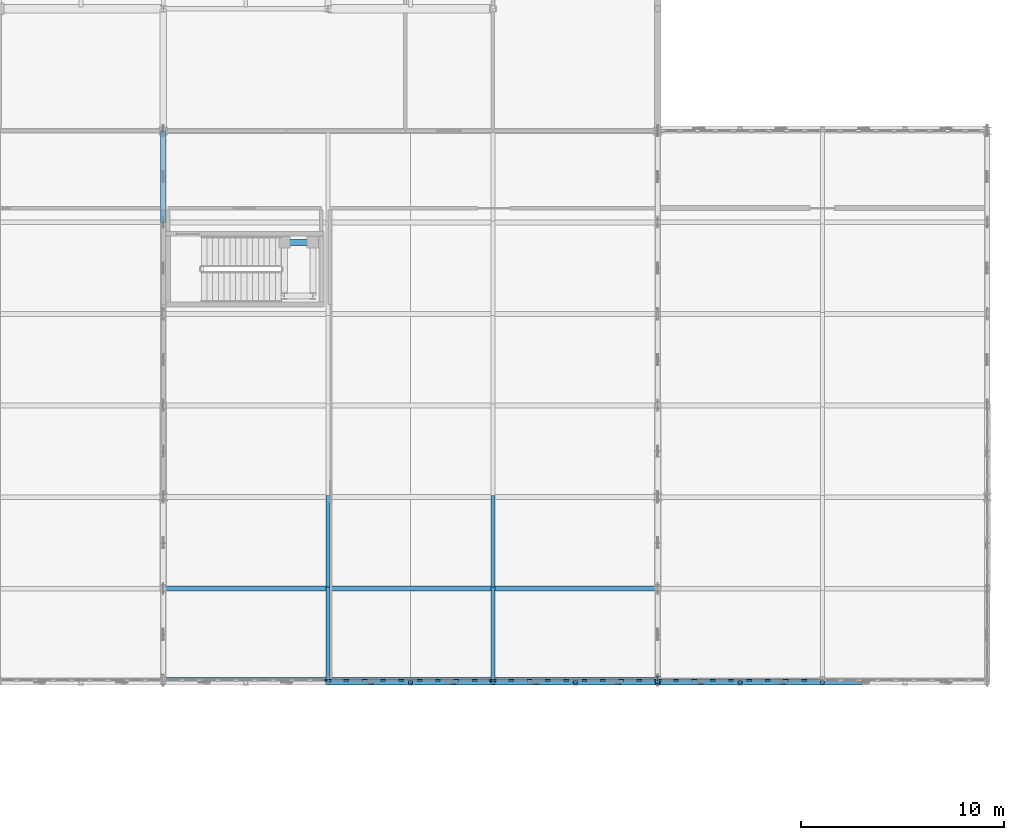
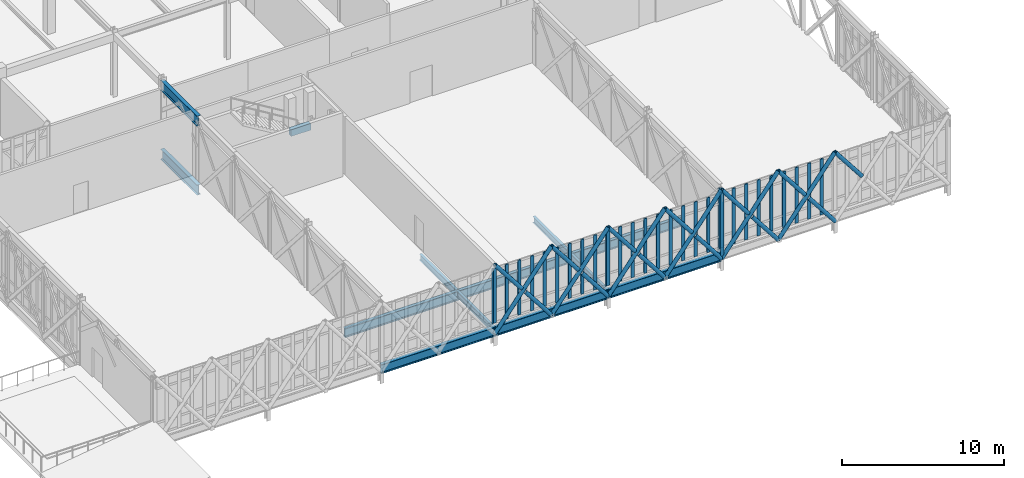
# One storey, part 17 of 107: 50 members, 9 beams, 4 elements without a shape of their own.
"""IFC4 building model written with IfcOpenShell, lengths in metres."""

import ifcopenshell
import ifcopenshell.guid

model = None  # the IFC model being written
_history = None  # IfcOwnerHistory: only IFC2X3 demands one
_inside = {}  # id of a spatial element -> (the spatial element, [elements in it])
_under = {}  # id of a project, library or spatial element -> (it, [spatial elements below it])
_declared = {}  # id of a project -> (the project, [libraries it declares])
_typed = {}  # id of a type object -> (the type object, [elements of that type])
_made_of = {}  # id of a material, layer set ... -> (it, [elements and type objects made of it])


def new_model(schema):
    """Start an empty IFC model of exactly this schema.

    Asked for "IFC4X3", IfcOpenShell would pick the latest addendum, in which some entities
    have other attributes; the version numbers below select the first issue.
    IFC2X3 requires an IfcOwnerHistory on every rooted entity: one is made here for all.
    """
    global model, _history
    if schema == "IFC4X3":
        model = ifcopenshell.file(schema_version=(4, 3, 0, 0))
    else:
        model = ifcopenshell.file(schema=schema)
    _inside.clear()
    _under.clear()
    _declared.clear()
    _typed.clear()
    _made_of.clear()
    _history = None
    if model.schema == "IFC2X3":
        org = make("IfcOrganization", Name="unknown")
        user = make(
            "IfcPersonAndOrganization",
            ThePerson=make("IfcPerson", FamilyName="unknown"),
            TheOrganization=org,
        )
        app = make(
            "IfcApplication",
            ApplicationDeveloper=org,
            Version="unknown",
            ApplicationFullName="unknown",
            ApplicationIdentifier="unknown",
        )
        _history = make(
            "IfcOwnerHistory",
            OwningUser=user,
            OwningApplication=app,
            ChangeAction="ADDED",
            CreationDate=0,
        )
    return model


def make(cls, **values):
    """One entity of the class cls with the attributes given. An attribute that is None is left unset."""
    return model.create_entity(
        cls, **{name: value for name, value in values.items() if value is not None}
    )


def rooted(cls, **values):
    """An entity with a GlobalId (a new one), such as an element, a storey or a relation."""
    return make(cls, GlobalId=ifcopenshell.guid.new(), OwnerHistory=_history, **values)


def si_unit(unit_type, name, prefix=None):
    """IfcSIUnit, for example si_unit("LENGTHUNIT", "METRE", prefix="MILLI")."""
    return make("IfcSIUnit", UnitType=unit_type, Prefix=prefix, Name=name)


def assignment(units):
    """IfcUnitAssignment: the units of a project."""
    return None if units is None else make("IfcUnitAssignment", Units=units)


def point(xyz):
    """IfcCartesianPoint."""
    return None if xyz is None else make("IfcCartesianPoint", Coordinates=xyz)


def direction(xyz):
    """IfcDirection."""
    return None if xyz is None else make("IfcDirection", DirectionRatios=xyz)


def frame(location, z_axis=None, x_axis=None):
    """IfcAxis2Placement3D, a coordinate frame: its origin and axes. An axis left out is left unset."""
    return make(
        "IfcAxis2Placement3D",
        Location=point(location),
        Axis=direction(z_axis),
        RefDirection=direction(x_axis),
    )


def frame_2d(location, x_axis=None):
    """IfcAxis2Placement2D, a coordinate frame in the plane: its origin and x axis."""
    return make(
        "IfcAxis2Placement2D", Location=point(location), RefDirection=direction(x_axis)
    )


def origin():
    """The frame at (0, 0, 0) with its axes left unset."""
    return frame((0.0, 0.0, 0.0))


def origin_2d():
    """The frame at (0, 0) in the plane with its x axis left unset."""
    return frame_2d((0.0, 0.0))


def place(relative_to, where):
    """IfcLocalPlacement: puts the frame where relative to a parent placement (None: the world)."""
    return make(
        "IfcLocalPlacement", PlacementRelTo=relative_to, RelativePlacement=where
    )


def context(
    kind, dimensions, precision=None, world=None, true_north=None, identifier=None
):
    """IfcGeometricRepresentationContext, for example the 3D "Model" context."""
    return make(
        "IfcGeometricRepresentationContext",
        ContextIdentifier=identifier,
        ContextType=kind,
        CoordinateSpaceDimension=dimensions,
        Precision=precision,
        WorldCoordinateSystem=world,
        TrueNorth=true_north,
    )


def subcontext(parent, identifier, kind, view, scale=None):
    """IfcGeometricRepresentationSubContext, for example "Body" below "Model"."""
    return make(
        "IfcGeometricRepresentationSubContext",
        ContextIdentifier=identifier,
        ContextType=kind,
        ParentContext=parent,
        TargetScale=scale,
        TargetView=view,
    )


def project(units=None, contexts=None):
    """IfcProject with its units and contexts."""
    return rooted(
        "IfcProject",
        Name="project",
        RepresentationContexts=contexts,
        UnitsInContext=assignment(units),
    )


def spatial(cls, under=None, at=None, **own):
    """A site, building, storey or space (cls), placed at a placement, below another one or the project."""
    s = rooted(cls, ObjectPlacement=at, **own)
    if under is not None:
        _under.setdefault(under.id(), (under, []))[1].append(s)
    return s


def profile(cls, at=None, kind="AREA", **sizes):
    """A parametric profile (cls). Its sizes go by their IFC names, for example OverallWidth=200.0."""
    return make(cls, ProfileType=kind, Position=at, **sizes)


def rectangle(**sizes):
    """IfcRectangleProfileDef."""
    return profile("IfcRectangleProfileDef", **sizes)


def hollow_circle(**sizes):
    """IfcCircleHollowProfileDef."""
    return profile("IfcCircleHollowProfileDef", **sizes)


def i_section(**sizes):
    """IfcIShapeProfileDef."""
    return profile("IfcIShapeProfileDef", **sizes)


def extrude(swept, where, along, depth):
    """IfcExtrudedAreaSolid: the profile swept, set in the frame where, extruded along a direction by depth."""
    return make(
        "IfcExtrudedAreaSolid",
        SweptArea=swept,
        Position=where,
        ExtrudedDirection=direction(along),
        Depth=depth,
    )


def shape(context_of_items, identifier, shape_type, items):
    """IfcShapeRepresentation: the items that make up one representation, for example the "Body"."""
    return make(
        "IfcShapeRepresentation",
        ContextOfItems=context_of_items,
        RepresentationIdentifier=identifier,
        RepresentationType=shape_type,
        Items=items,
    )


def material(Name=None, Category=None):
    """IfcMaterial."""
    return make("IfcMaterial", Name=Name, Category=Category)


def material_profile(
    of_material, cross_section, Name=None, Category=None, Priority=None
):
    """IfcMaterialProfile: a cross section and its material."""
    return make(
        "IfcMaterialProfile",
        Name=Name,
        Material=of_material,
        Profile=cross_section,
        Priority=Priority,
        Category=Category,
    )


def profile_set(profiles, Name=None, composite=None):
    """IfcMaterialProfileSet."""
    return make(
        "IfcMaterialProfileSet",
        Name=Name,
        MaterialProfiles=profiles,
        CompositeProfile=composite,
    )


def made_of(thing, what):
    """Note that an element or type object is made of a material, layer set ...; save() writes the relation."""
    if what is not None:
        _made_of.setdefault(what.id(), (what, []))[1].append(thing)
    return thing


def type_object(cls, material=None, **own):
    """A type object (cls), such as IfcWallType, which elements share."""
    return made_of(rooted(cls, **own), material)


def element(
    cls,
    number,
    at=None,
    inside=None,
    cuts=None,
    type_object=None,
    material=None,
    context=None,
    identifier="Body",
    shape_type=None,
    held_by="IfcProductDefinitionShape",
    body=None,
    shapes=None,
    **own,
):
    """One element of the class cls, such as IfcWall. Its Tag is "e" and its number.

    at: its placement. inside: the storey or other place that contains it. cuts: it is an
    opening in that element (IfcRelVoidsElement). A single representation is given by context,
    identifier, shape_type and body (its items); several are given by shapes. held_by: the class
    of the entity that holds the representations. save() writes the other relations.
    """
    e = rooted(cls, Tag="e%d" % number, ObjectPlacement=at, **own)
    if body is not None:
        shapes = [shape(context, identifier, shape_type, body)]
    if shapes is not None:
        e.Representation = make(held_by, Representations=shapes)
    if inside is not None:
        _inside.setdefault(inside.id(), (inside, []))[1].append(e)
    if cuts is not None:
        rooted(
            "IfcRelVoidsElement", RelatingBuildingElement=cuts, RelatedOpeningElement=e
        )
    if type_object is not None:
        _typed.setdefault(type_object.id(), (type_object, []))[1].append(e)
    return made_of(e, material)


def aggregate(whole, parts):
    """IfcRelAggregates: a whole, such as a stair, and the parts it consists of."""
    return rooted("IfcRelAggregates", RelatingObject=whole, RelatedObjects=parts)


def save(model, path):
    """Write the relations noted so far, then the file.

    IfcRelAggregates (storeys below a building ...), IfcRelContainedInSpatialStructure (elements
    in a storey), IfcRelDefinesByType, IfcRelAssociatesMaterial and IfcRelDeclares: one each for
    every whole, place, type object, material and project.
    """
    for whole, parts in _under.values():
        aggregate(whole, parts)
    for where, things in _inside.values():
        rooted(
            "IfcRelContainedInSpatialStructure",
            RelatedElements=things,
            RelatingStructure=where,
        )
    for kind, things in _typed.values():
        rooted("IfcRelDefinesByType", RelatedObjects=things, RelatingType=kind)
    for what, things in _made_of.values():
        rooted("IfcRelAssociatesMaterial", RelatedObjects=things, RelatingMaterial=what)
    for by, libraries in _declared.values():
        rooted("IfcRelDeclares", RelatingContext=by, RelatedDefinitions=libraries)
    model.write(path)


model = new_model("IFC4")

# Units and contexts
model_context = context("Model", 3, precision=1e-05, world=origin(), true_north=direction((0.0, 1.0)))
body_context = subcontext(model_context, "Body", "Model", "MODEL_VIEW")
ifc_project = project(units=[si_unit("LENGTHUNIT", "METRE"), si_unit("AREAUNIT", "SQUARE_METRE"), si_unit("VOLUMEUNIT", "CUBIC_METRE"), si_unit("PLANEANGLEUNIT", "RADIAN"), si_unit("MASSUNIT", "GRAM", prefix="KILO")], contexts=[model_context])

# Site, building, storey
site_placement = place(None, origin())
site = spatial("IfcSite", under=ifc_project, at=site_placement, CompositionType="ELEMENT")
building_placement = place(site_placement, origin())
building = spatial("IfcBuilding", under=site, at=building_placement, Name="Tarnveldt Square Police Headquarters", CompositionType="ELEMENT")
storey_placement = place(building_placement, frame((0.0, 0.0, 14.699951171875)))
storey = spatial("IfcBuildingStorey", under=building, at=storey_placement, Name="L03", CompositionType="ELEMENT", Elevation=14.699951171875)

# Beams
ifc_material_1 = material(Name="Steel 350W", Category="steel")
ifc_material_profile_1 = material_profile(ifc_material_1, i_section(OverallWidth=0.26708984375, OverallDepth=0.76611328125, WebThickness=0.014892578125, FlangeThickness=0.023681640625, FilletRadius=0.02197265625, at=origin_2d()), Name="W760x185")
ifc_profile_set_1 = profile_set([ifc_material_profile_1], Name="Steel 350W")
beam_type_1 = type_object("IfcBeamType", Name="BM-CT-BOT", PredefinedType="BEAM", material=ifc_profile_set_1)
for number, where, z_axis, x_axis, name in (
    (1, (24.300048828125, 34.0, -0.742919921875), (0.0, -1.0, 0.0), (1.0, 0.0, 0.0), "Cantilever Truss CT-2 Bottom Chord 1"),
    (2, (24.300048828125, 34.0, 4.45703125), (0.0, -1.0, 0.0), (1.0, 0.0, 0.0), "Cantilever Truss CT-2 Mid Chord 1"),
):
    element("IfcBeam", number, at=place(storey_placement, frame(where, z_axis=z_axis, x_axis=x_axis)), inside=storey, type_object=beam_type_1, Name=name, PredefinedType="BEAM", context=body_context, shape_type="SweptSolid", body=[
        extrude(i_section(OverallWidth=0.26708984375, OverallDepth=0.76611328125, WebThickness=0.014892578125, FlangeThickness=0.023681640625, FilletRadius=0.02197265625, at=origin_2d()), origin(), (0.0, 0.0, 1.0), 4.5),
    ])
ifc_material_2 = material(Name="Concrete 40 MPa", Category="concrete")
ifc_material_profile_2 = material_profile(ifc_material_2, rectangle(XDim=0.300048828125, YDim=0.5, at=origin_2d()), Name="RC-B300x500")
ifc_profile_set_2 = profile_set([ifc_material_profile_2], Name="Concrete 40 MPa")
beam_type_2 = type_object("IfcBeamType", Name="BM-RC300x500", PredefinedType="BEAM", material=ifc_profile_set_2)
beam_placement = place(storey_placement, frame((30.25, 28.52001953125, 2.1201171875), z_axis=(1.0, 0.0, 0.0), x_axis=(0.0, 1.0, 0.0)))
element("IfcBeam", 3, at=beam_placement, inside=storey, type_object=beam_type_2, Name="ST6 L03 Half-Landing North Support Beam", PredefinedType="BEAM", context=body_context, shape_type="SweptSolid", body=[
    extrude(rectangle(XDim=0.300048828125, YDim=0.5, at=origin_2d()), origin(), (0.0, 0.0, 1.0), 1.39990234375),
])
ifc_material_profile_3 = material_profile(ifc_material_1, i_section(OverallWidth=0.19189453125, OverallDepth=0.462890625, WebThickness=0.010498046875, FlangeThickness=0.017578125, FilletRadius=0.01806640625, at=origin_2d()), Name="W460x89")
ifc_profile_set_3 = profile_set([ifc_material_profile_3], Name="Steel 350W")
beam_type_3 = type_object("IfcBeamType", Name="BM-W460x89", PredefinedType="BEAM", material=ifc_profile_set_3)
for number, where, z_axis, x_axis, name in (
    (4, (32.39990234375, 16.080078125, -0.491455078125), (0.0, -1.0, 0.0), (1.0, 0.0, 0.0), "Lantern L03 Secondary Beam 32.4"),
    (5, (32.39990234375, 11.580078125, -0.491455078125), (0.0, -1.0, 0.0), (1.0, 0.0, 0.0), "Lantern L03 Secondary Beam 32.5"),
    (6, (40.5, 16.080078125, -0.491455078125), (0.0, -1.0, 0.0), (1.0, 0.0, 0.0), "Lantern L03 Secondary Beam 40.4"),
    (7, (40.5, 11.580078125, -0.491455078125), (0.0, -1.0, 0.0), (1.0, 0.0, 0.0), "Lantern L03 Secondary Beam 40.5"),
):
    element("IfcBeam", number, at=place(storey_placement, frame(where, z_axis=z_axis, x_axis=x_axis)), inside=storey, type_object=beam_type_3, Name=name, PredefinedType="BEAM", context=body_context, shape_type="SweptSolid", body=[
        extrude(i_section(OverallWidth=0.19189453125, OverallDepth=0.462890625, WebThickness=0.010498046875, FlangeThickness=0.017578125, FilletRadius=0.01806640625, at=origin_2d()), origin(), (0.0, 0.0, 1.0), 4.66015625),
    ])
ifc_material_profile_4 = material_profile(ifc_material_1, i_section(OverallWidth=0.25390625, OverallDepth=0.68798828125, WebThickness=0.01318359375, FlangeThickness=0.02099609375, FilletRadius=0.02001953125, at=origin_2d()), Name="W690x152")
ifc_profile_set_4 = profile_set([ifc_material_profile_4], Name="Steel 350W")
beam_type_4 = type_object("IfcBeamType", Name="BM-W690x152", PredefinedType="BEAM", material=ifc_profile_set_4)
for number, where, z_axis, x_axis, name in (
    (8, (24.300048828125, 11.5, -0.60400390625), (1.0, 0.0, 0.0), (0.0, 1.0, 0.0), "Command Lantern L03 Transverse Girder 2.5"),
    (9, (24.300048828125, 7.0, -0.60400390625), (1.0, 0.0, 0.0), (0.0, 1.0, 0.0), "Command Lantern L03 Transverse Girder 2.6"),
):
    element("IfcBeam", number, at=place(storey_placement, frame(where, z_axis=z_axis, x_axis=x_axis)), inside=storey, type_object=beam_type_4, Name=name, PredefinedType="BEAM", context=body_context, shape_type="SweptSolid", body=[
        extrude(i_section(OverallWidth=0.25390625, OverallDepth=0.68798828125, WebThickness=0.01318359375, FlangeThickness=0.02099609375, FilletRadius=0.02001953125, at=origin_2d()), origin(), (0.0, 0.0, 1.0), 24.300048828125),
    ])

# Curtain wall, member
ifc_material_3 = material(Name="UL 752 Level III laminated ballistic vision glass", Category="glass")
curtain_wall_type_1 = type_object("IfcCurtainWallType", Name="CW-BL-810x414", PredefinedType="USERDEFINED", material=ifc_material_3)
curtain_wall_1_placement = place(storey_placement, origin())
curtain_wall_1 = element("IfcCurtainWall", 10, at=curtain_wall_1_placement, inside=storey, type_object=curtain_wall_type_1, Name="L03 Curtain Wall CW-L03-025", ObjectType="BALLISTIC CURTAIN WALL", PredefinedType="USERDEFINED")
ifc_material_4 = material(Name="Thermally broken anodised aluminium 6063-T6", Category="aluminium")
ifc_material_profile_5 = material_profile(ifc_material_4, rectangle(XDim=0.0849609375, YDim=0.239990234375, at=origin_2d()), Name="CW-M85x240")
ifc_profile_set_5 = profile_set([ifc_material_profile_5], Name="Thermally broken anodised aluminium 6063-T6")
member_type_1 = type_object("IfcMemberType", Name="CWM-85x240", PredefinedType="MULLION", material=ifc_profile_set_5)
member_1_placement = place(storey_placement, frame((32.357421875, 7.0, 0.0), z_axis=(0.0, 0.0, 1.0), x_axis=(0.0, 1.0, 0.0)))
member_1 = element("IfcMember", 11, at=member_1_placement, type_object=member_type_1, Name="CW-BL13 mullion 10", PredefinedType="MULLION", context=body_context, shape_type="SweptSolid", body=[
    extrude(rectangle(XDim=0.0849609375, YDim=0.239990234375, at=origin_2d()), origin(), (0.0, 0.0, 1.0), 4.14404296875),
])
aggregate(curtain_wall_1, [member_1])

# Curtain wall, members
curtain_wall_2_placement = place(storey_placement, origin())
curtain_wall_2 = element("IfcCurtainWall", 12, at=curtain_wall_2_placement, inside=storey, type_object=curtain_wall_type_1, Name="L03 Curtain Wall CW-L03-026", ObjectType="BALLISTIC CURTAIN WALL", PredefinedType="USERDEFINED")
member_2_placement = place(storey_placement, frame((32.4423828125, 7.0, 0.0), z_axis=(0.0, 0.0, 1.0), x_axis=(0.0, 1.0, 0.0)))
member_2 = element("IfcMember", 13, at=member_2_placement, type_object=member_type_1, Name="CW-BL13 mullion 1", PredefinedType="MULLION", context=body_context, shape_type="SweptSolid", body=[
    extrude(rectangle(XDim=0.0849609375, YDim=0.239990234375, at=origin_2d()), origin(), (0.0, 0.0, 1.0), 4.14404296875),
])
member_3_placement = place(storey_placement, frame((33.300048828125, 7.0, 0.0), z_axis=(0.0, 0.0, 1.0), x_axis=(0.0, 1.0, 0.0)))
member_3 = element("IfcMember", 14, at=member_3_placement, type_object=member_type_1, Name="CW-BL13 mullion 2", PredefinedType="MULLION", context=body_context, shape_type="SweptSolid", body=[
    extrude(rectangle(XDim=0.0849609375, YDim=0.239990234375, at=origin_2d()), origin(), (0.0, 0.0, 1.0), 4.14404296875),
])
member_4_placement = place(storey_placement, frame((34.199951171875, 7.0, 0.0), z_axis=(0.0, 0.0, 1.0), x_axis=(0.0, 1.0, 0.0)))
member_4 = element("IfcMember", 15, at=member_4_placement, type_object=member_type_1, Name="CW-BL13 mullion 3", PredefinedType="MULLION", context=body_context, shape_type="SweptSolid", body=[
    extrude(rectangle(XDim=0.0849609375, YDim=0.239990234375, at=origin_2d()), origin(), (0.0, 0.0, 1.0), 4.14404296875),
])
member_5_placement = place(storey_placement, frame((35.10009765625, 7.0, 0.0), z_axis=(0.0, 0.0, 1.0), x_axis=(0.0, 1.0, 0.0)))
member_5 = element("IfcMember", 16, at=member_5_placement, type_object=member_type_1, Name="CW-BL13 mullion 4", PredefinedType="MULLION", context=body_context, shape_type="SweptSolid", body=[
    extrude(rectangle(XDim=0.0849609375, YDim=0.239990234375, at=origin_2d()), origin(), (0.0, 0.0, 1.0), 4.14404296875),
])
member_6_placement = place(storey_placement, frame((36.0, 7.0, 0.0), z_axis=(0.0, 0.0, 1.0), x_axis=(0.0, 1.0, 0.0)))
member_6 = element("IfcMember", 17, at=member_6_placement, type_object=member_type_1, Name="CW-BL13 mullion 5", PredefinedType="MULLION", context=body_context, shape_type="SweptSolid", body=[
    extrude(rectangle(XDim=0.0849609375, YDim=0.239990234375, at=origin_2d()), origin(), (0.0, 0.0, 1.0), 4.14404296875),
])
member_7_placement = place(storey_placement, frame((36.89990234375, 7.0, 0.0), z_axis=(0.0, 0.0, 1.0), x_axis=(0.0, 1.0, 0.0)))
member_7 = element("IfcMember", 18, at=member_7_placement, type_object=member_type_1, Name="CW-BL13 mullion 6", PredefinedType="MULLION", context=body_context, shape_type="SweptSolid", body=[
    extrude(rectangle(XDim=0.0849609375, YDim=0.239990234375, at=origin_2d()), origin(), (0.0, 0.0, 1.0), 4.14404296875),
])
member_8_placement = place(storey_placement, frame((37.800048828125, 7.0, 0.0), z_axis=(0.0, 0.0, 1.0), x_axis=(0.0, 1.0, 0.0)))
member_8 = element("IfcMember", 19, at=member_8_placement, type_object=member_type_1, Name="CW-BL13 mullion 7", PredefinedType="MULLION", context=body_context, shape_type="SweptSolid", body=[
    extrude(rectangle(XDim=0.0849609375, YDim=0.239990234375, at=origin_2d()), origin(), (0.0, 0.0, 1.0), 4.14404296875),
])
member_9_placement = place(storey_placement, frame((38.699951171875, 7.0, 0.0), z_axis=(0.0, 0.0, 1.0), x_axis=(0.0, 1.0, 0.0)))
member_9 = element("IfcMember", 20, at=member_9_placement, type_object=member_type_1, Name="CW-BL13 mullion 8", PredefinedType="MULLION", context=body_context, shape_type="SweptSolid", body=[
    extrude(rectangle(XDim=0.0849609375, YDim=0.239990234375, at=origin_2d()), origin(), (0.0, 0.0, 1.0), 4.14404296875),
])
member_10_placement = place(storey_placement, frame((39.60009765625, 7.0, 0.0), z_axis=(0.0, 0.0, 1.0), x_axis=(0.0, 1.0, 0.0)))
member_10 = element("IfcMember", 21, at=member_10_placement, type_object=member_type_1, Name="CW-BL13 mullion 9", PredefinedType="MULLION", context=body_context, shape_type="SweptSolid", body=[
    extrude(rectangle(XDim=0.0849609375, YDim=0.239990234375, at=origin_2d()), origin(), (0.0, 0.0, 1.0), 4.14404296875),
])
member_11_placement = place(storey_placement, frame((40.45751953125, 7.0, 0.0), z_axis=(0.0, 0.0, 1.0), x_axis=(0.0, 1.0, 0.0)))
member_11 = element("IfcMember", 22, at=member_11_placement, type_object=member_type_1, Name="CW-BL13 mullion 10", PredefinedType="MULLION", context=body_context, shape_type="SweptSolid", body=[
    extrude(rectangle(XDim=0.0849609375, YDim=0.239990234375, at=origin_2d()), origin(), (0.0, 0.0, 1.0), 4.14404296875),
])
aggregate(curtain_wall_2, [member_2, member_3, member_4, member_5, member_6, member_7, member_8, member_9, member_10, member_11])

curtain_wall_3_placement = place(storey_placement, origin())
curtain_wall_3 = element("IfcCurtainWall", 23, at=curtain_wall_3_placement, inside=storey, type_object=curtain_wall_type_1, Name="L03 Curtain Wall CW-L03-027", ObjectType="BALLISTIC CURTAIN WALL", PredefinedType="USERDEFINED")
member_12_placement = place(storey_placement, frame((40.54248046875, 7.0, 0.0), z_axis=(0.0, 0.0, 1.0), x_axis=(0.0, 1.0, 0.0)))
member_12 = element("IfcMember", 24, at=member_12_placement, type_object=member_type_1, Name="CW-BL13 mullion 1", PredefinedType="MULLION", context=body_context, shape_type="SweptSolid", body=[
    extrude(rectangle(XDim=0.0849609375, YDim=0.239990234375, at=origin_2d()), origin(), (0.0, 0.0, 1.0), 4.14404296875),
])
member_13_placement = place(storey_placement, frame((41.39990234375, 7.0, 0.0), z_axis=(0.0, 0.0, 1.0), x_axis=(0.0, 1.0, 0.0)))
member_13 = element("IfcMember", 25, at=member_13_placement, type_object=member_type_1, Name="CW-BL13 mullion 2", PredefinedType="MULLION", context=body_context, shape_type="SweptSolid", body=[
    extrude(rectangle(XDim=0.0849609375, YDim=0.239990234375, at=origin_2d()), origin(), (0.0, 0.0, 1.0), 4.14404296875),
])
member_14_placement = place(storey_placement, frame((42.300048828125, 7.0, 0.0), z_axis=(0.0, 0.0, 1.0), x_axis=(0.0, 1.0, 0.0)))
member_14 = element("IfcMember", 26, at=member_14_placement, type_object=member_type_1, Name="CW-BL13 mullion 3", PredefinedType="MULLION", context=body_context, shape_type="SweptSolid", body=[
    extrude(rectangle(XDim=0.0849609375, YDim=0.239990234375, at=origin_2d()), origin(), (0.0, 0.0, 1.0), 4.14404296875),
])
member_15_placement = place(storey_placement, frame((43.199951171875, 7.0, 0.0), z_axis=(0.0, 0.0, 1.0), x_axis=(0.0, 1.0, 0.0)))
member_15 = element("IfcMember", 27, at=member_15_placement, type_object=member_type_1, Name="CW-BL13 mullion 4", PredefinedType="MULLION", context=body_context, shape_type="SweptSolid", body=[
    extrude(rectangle(XDim=0.0849609375, YDim=0.239990234375, at=origin_2d()), origin(), (0.0, 0.0, 1.0), 4.14404296875),
])
member_16_placement = place(storey_placement, frame((44.10009765625, 7.0, 0.0), z_axis=(0.0, 0.0, 1.0), x_axis=(0.0, 1.0, 0.0)))
member_16 = element("IfcMember", 28, at=member_16_placement, type_object=member_type_1, Name="CW-BL13 mullion 5", PredefinedType="MULLION", context=body_context, shape_type="SweptSolid", body=[
    extrude(rectangle(XDim=0.0849609375, YDim=0.239990234375, at=origin_2d()), origin(), (0.0, 0.0, 1.0), 4.14404296875),
])
member_17_placement = place(storey_placement, frame((45.0, 7.0, 0.0), z_axis=(0.0, 0.0, 1.0), x_axis=(0.0, 1.0, 0.0)))
member_17 = element("IfcMember", 29, at=member_17_placement, type_object=member_type_1, Name="CW-BL13 mullion 6", PredefinedType="MULLION", context=body_context, shape_type="SweptSolid", body=[
    extrude(rectangle(XDim=0.0849609375, YDim=0.239990234375, at=origin_2d()), origin(), (0.0, 0.0, 1.0), 4.14404296875),
])
member_18_placement = place(storey_placement, frame((45.89990234375, 7.0, 0.0), z_axis=(0.0, 0.0, 1.0), x_axis=(0.0, 1.0, 0.0)))
member_18 = element("IfcMember", 30, at=member_18_placement, type_object=member_type_1, Name="CW-BL13 mullion 7", PredefinedType="MULLION", context=body_context, shape_type="SweptSolid", body=[
    extrude(rectangle(XDim=0.0849609375, YDim=0.239990234375, at=origin_2d()), origin(), (0.0, 0.0, 1.0), 4.14404296875),
])
member_19_placement = place(storey_placement, frame((46.800048828125, 7.0, 0.0), z_axis=(0.0, 0.0, 1.0), x_axis=(0.0, 1.0, 0.0)))
member_19 = element("IfcMember", 31, at=member_19_placement, type_object=member_type_1, Name="CW-BL13 mullion 8", PredefinedType="MULLION", context=body_context, shape_type="SweptSolid", body=[
    extrude(rectangle(XDim=0.0849609375, YDim=0.239990234375, at=origin_2d()), origin(), (0.0, 0.0, 1.0), 4.14404296875),
])
member_20_placement = place(storey_placement, frame((47.699951171875, 7.0, 0.0), z_axis=(0.0, 0.0, 1.0), x_axis=(0.0, 1.0, 0.0)))
member_20 = element("IfcMember", 32, at=member_20_placement, type_object=member_type_1, Name="CW-BL13 mullion 9", PredefinedType="MULLION", context=body_context, shape_type="SweptSolid", body=[
    extrude(rectangle(XDim=0.0849609375, YDim=0.239990234375, at=origin_2d()), origin(), (0.0, 0.0, 1.0), 4.14404296875),
])
member_21_placement = place(storey_placement, frame((48.5576171875, 7.0, 0.0), z_axis=(0.0, 0.0, 1.0), x_axis=(0.0, 1.0, 0.0)))
member_21 = element("IfcMember", 33, at=member_21_placement, type_object=member_type_1, Name="CW-BL13 mullion 10", PredefinedType="MULLION", context=body_context, shape_type="SweptSolid", body=[
    extrude(rectangle(XDim=0.0849609375, YDim=0.239990234375, at=origin_2d()), origin(), (0.0, 0.0, 1.0), 4.14404296875),
])
aggregate(curtain_wall_3, [member_12, member_13, member_14, member_15, member_16, member_17, member_18, member_19, member_20, member_21])

curtain_wall_type_2 = type_object("IfcCurtainWallType", Name="CW-BL-810x422", PredefinedType="USERDEFINED", material=ifc_material_3)
curtain_wall_4_placement = place(storey_placement, origin())
curtain_wall_4 = element("IfcCurtainWall", 34, at=curtain_wall_4_placement, inside=storey, type_object=curtain_wall_type_2, Name="L03 Curtain Wall CW-L03-028", ObjectType="BALLISTIC CURTAIN WALL", PredefinedType="USERDEFINED")
member_22_placement = place(storey_placement, frame((48.642578125, 7.0, 0.0), z_axis=(0.0, 0.0, 1.0), x_axis=(0.0, 1.0, 0.0)))
member_22 = element("IfcMember", 35, at=member_22_placement, type_object=member_type_1, Name="CW-BL12 mullion 1", PredefinedType="MULLION", context=body_context, shape_type="SweptSolid", body=[
    extrude(rectangle(XDim=0.0849609375, YDim=0.239990234375, at=origin_2d()), origin(), (0.0, 0.0, 1.0), 4.219970703125),
])
member_23_placement = place(storey_placement, frame((49.5, 7.0, 0.0), z_axis=(0.0, 0.0, 1.0), x_axis=(0.0, 1.0, 0.0)))
member_23 = element("IfcMember", 36, at=member_23_placement, type_object=member_type_1, Name="CW-BL12 mullion 2", PredefinedType="MULLION", context=body_context, shape_type="SweptSolid", body=[
    extrude(rectangle(XDim=0.0849609375, YDim=0.239990234375, at=origin_2d()), origin(), (0.0, 0.0, 1.0), 4.219970703125),
])
member_24_placement = place(storey_placement, frame((50.39990234375, 7.0, 0.0), z_axis=(0.0, 0.0, 1.0), x_axis=(0.0, 1.0, 0.0)))
member_24 = element("IfcMember", 37, at=member_24_placement, type_object=member_type_1, Name="CW-BL12 mullion 3", PredefinedType="MULLION", context=body_context, shape_type="SweptSolid", body=[
    extrude(rectangle(XDim=0.0849609375, YDim=0.239990234375, at=origin_2d()), origin(), (0.0, 0.0, 1.0), 4.219970703125),
])
member_25_placement = place(storey_placement, frame((51.300048828125, 7.0, 0.0), z_axis=(0.0, 0.0, 1.0), x_axis=(0.0, 1.0, 0.0)))
member_25 = element("IfcMember", 38, at=member_25_placement, type_object=member_type_1, Name="CW-BL12 mullion 4", PredefinedType="MULLION", context=body_context, shape_type="SweptSolid", body=[
    extrude(rectangle(XDim=0.0849609375, YDim=0.239990234375, at=origin_2d()), origin(), (0.0, 0.0, 1.0), 4.219970703125),
])
member_26_placement = place(storey_placement, frame((52.199951171875, 7.0, 0.0), z_axis=(0.0, 0.0, 1.0), x_axis=(0.0, 1.0, 0.0)))
member_26 = element("IfcMember", 39, at=member_26_placement, type_object=member_type_1, Name="CW-BL12 mullion 5", PredefinedType="MULLION", context=body_context, shape_type="SweptSolid", body=[
    extrude(rectangle(XDim=0.0849609375, YDim=0.239990234375, at=origin_2d()), origin(), (0.0, 0.0, 1.0), 4.219970703125),
])
member_27_placement = place(storey_placement, frame((53.10009765625, 7.0, 0.0), z_axis=(0.0, 0.0, 1.0), x_axis=(0.0, 1.0, 0.0)))
member_27 = element("IfcMember", 40, at=member_27_placement, type_object=member_type_1, Name="CW-BL12 mullion 6", PredefinedType="MULLION", context=body_context, shape_type="SweptSolid", body=[
    extrude(rectangle(XDim=0.0849609375, YDim=0.239990234375, at=origin_2d()), origin(), (0.0, 0.0, 1.0), 4.219970703125),
])
member_28_placement = place(storey_placement, frame((54.0, 7.0, 0.0), z_axis=(0.0, 0.0, 1.0), x_axis=(0.0, 1.0, 0.0)))
member_28 = element("IfcMember", 41, at=member_28_placement, type_object=member_type_1, Name="CW-BL12 mullion 7", PredefinedType="MULLION", context=body_context, shape_type="SweptSolid", body=[
    extrude(rectangle(XDim=0.0849609375, YDim=0.239990234375, at=origin_2d()), origin(), (0.0, 0.0, 1.0), 4.219970703125),
])
member_29_placement = place(storey_placement, frame((54.89990234375, 7.0, 0.0), z_axis=(0.0, 0.0, 1.0), x_axis=(0.0, 1.0, 0.0)))
member_29 = element("IfcMember", 42, at=member_29_placement, type_object=member_type_1, Name="CW-BL12 mullion 8", PredefinedType="MULLION", context=body_context, shape_type="SweptSolid", body=[
    extrude(rectangle(XDim=0.0849609375, YDim=0.239990234375, at=origin_2d()), origin(), (0.0, 0.0, 1.0), 4.219970703125),
])
member_30_placement = place(storey_placement, frame((55.800048828125, 7.0, 0.0), z_axis=(0.0, 0.0, 1.0), x_axis=(0.0, 1.0, 0.0)))
member_30 = element("IfcMember", 43, at=member_30_placement, type_object=member_type_1, Name="CW-BL12 mullion 9", PredefinedType="MULLION", context=body_context, shape_type="SweptSolid", body=[
    extrude(rectangle(XDim=0.0849609375, YDim=0.239990234375, at=origin_2d()), origin(), (0.0, 0.0, 1.0), 4.219970703125),
])
aggregate(curtain_wall_4, [member_22, member_23, member_24, member_25, member_26, member_27, member_28, member_29, member_30])

# Members
ifc_material_profile_6 = material_profile(ifc_material_1, i_section(OverallWidth=0.257080078125, OverallDepth=0.363037109375, WebThickness=0.012939453125, FlangeThickness=0.021728515625, FilletRadius=0.01611328125, at=origin_2d()), Name="W360x122")
ifc_profile_set_6 = profile_set([ifc_material_profile_6], Name="Steel 350W")
member_type_2 = type_object("IfcMemberType", Name="MEM-CT-POST", PredefinedType="STRUT", material=ifc_profile_set_6)
member_31_placement = place(storey_placement, frame((48.60009765625, 7.0, -0.742919921875), z_axis=(0.0, 0.0, 1.0), x_axis=(1.0, 0.0, 0.0)))
element("IfcMember", 44, at=member_31_placement, inside=storey, type_object=member_type_2, Name="Cantilever Truss CT-3 L03 Post 7", PredefinedType="STRUT", context=body_context, shape_type="SweptSolid", body=[
    extrude(i_section(OverallWidth=0.257080078125, OverallDepth=0.363037109375, WebThickness=0.012939453125, FlangeThickness=0.021728515625, FilletRadius=0.01611328125, at=origin_2d()), origin(), (0.0, 0.0, 1.0), 5.199951171875),
])
ifc_material_profile_7 = material_profile(ifc_material_1, hollow_circle(Radius=0.136474609375, WallThickness=0.0126953125, at=origin_2d()), Name="HSS273x13")
ifc_profile_set_7 = profile_set([ifc_material_profile_7], Name="Steel 350W")
member_type_3 = type_object("IfcMemberType", Name="MEM-LT-DIAG1", PredefinedType="BRACE", material=ifc_profile_set_7)
member_32_placement = place(storey_placement, frame((32.39990234375, 6.89990234375, -0.742919921875), z_axis=(0.614473864369, 0.0, 0.788937177478), x_axis=(0.0, 1.0, 0.0)))
element("IfcMember", 45, at=member_32_placement, inside=storey, type_object=member_type_3, Name="Command Lantern S Steel Lattice Brace 4.1A", PredefinedType="BRACE", context=body_context, shape_type="SweptSolid", body=[
    extrude(hollow_circle(Radius=0.136474609375, WallThickness=0.0126953125, at=origin_2d()), origin(), (0.0, 0.0, 1.0), 6.591064453125),
])
for number, where, z_axis, x_axis, name in (
    (46, (36.449951171875, 6.89990234375, -0.742919921875), (-0.614475574544, 0.0, 0.788935845484), (0.0, -1.0, 0.0), "Command Lantern S Steel Lattice Brace 4.1B Lower"),
    (47, (34.302001953125, 6.89990234375, 2.014892578125), (-0.614475574544, 0.0, 0.788935845484), (0.0, -1.0, 0.0), "Command Lantern S Steel Lattice Brace 4.1B Upper"),
):
    element("IfcMember", number, at=place(storey_placement, frame(where, z_axis=z_axis, x_axis=x_axis)), inside=storey, type_object=member_type_3, Name=name, PredefinedType="BRACE", context=body_context, shape_type="SweptSolid", body=[
        extrude(hollow_circle(Radius=0.136474609375, WallThickness=0.0126953125, at=origin_2d()), origin(), (0.0, 0.0, 1.0), 3.095458984375),
    ])
member_33_placement = place(storey_placement, frame((36.449951171875, 6.89990234375, -0.742919921875), z_axis=(0.614473864369, 0.0, 0.788937177478), x_axis=(0.0, 1.0, 0.0)))
element("IfcMember", 48, at=member_33_placement, inside=storey, type_object=member_type_3, Name="Command Lantern S Steel Lattice Brace 4.2A", PredefinedType="BRACE", context=body_context, shape_type="SweptSolid", body=[
    extrude(hollow_circle(Radius=0.136474609375, WallThickness=0.0126953125, at=origin_2d()), origin(), (0.0, 0.0, 1.0), 6.591064453125),
])
for number, where, z_axis, x_axis, name in (
    (49, (40.5, 6.89990234375, -0.742919921875), (-0.614475574544, 0.0, 0.788935845484), (0.0, -1.0, 0.0), "Command Lantern S Steel Lattice Brace 4.2B Lower"),
    (50, (38.35205078125, 6.89990234375, 2.014892578125), (-0.614475574544, 0.0, 0.788935845484), (0.0, -1.0, 0.0), "Command Lantern S Steel Lattice Brace 4.2B Upper"),
):
    element("IfcMember", number, at=place(storey_placement, frame(where, z_axis=z_axis, x_axis=x_axis)), inside=storey, type_object=member_type_3, Name=name, PredefinedType="BRACE", context=body_context, shape_type="SweptSolid", body=[
        extrude(hollow_circle(Radius=0.136474609375, WallThickness=0.0126953125, at=origin_2d()), origin(), (0.0, 0.0, 1.0), 3.095458984375),
    ])
member_34_placement = place(storey_placement, frame((40.5, 6.89990234375, -0.742919921875), z_axis=(0.614473864369, 0.0, 0.788937177478), x_axis=(0.0, 1.0, 0.0)))
element("IfcMember", 51, at=member_34_placement, inside=storey, type_object=member_type_3, Name="Command Lantern S Steel Lattice Brace 5.1A", PredefinedType="BRACE", context=body_context, shape_type="SweptSolid", body=[
    extrude(hollow_circle(Radius=0.136474609375, WallThickness=0.0126953125, at=origin_2d()), origin(), (0.0, 0.0, 1.0), 6.591064453125),
])
for number, where, z_axis, x_axis, name in (
    (52, (44.550048828125, 6.89990234375, -0.742919921875), (-0.614475574544, 0.0, 0.788935845484), (0.0, -1.0, 0.0), "Command Lantern S Steel Lattice Brace 5.1B Lower"),
    (53, (42.402099609375, 6.89990234375, 2.014892578125), (-0.614475574544, 0.0, 0.788935845484), (0.0, -1.0, 0.0), "Command Lantern S Steel Lattice Brace 5.1B Upper"),
):
    element("IfcMember", number, at=place(storey_placement, frame(where, z_axis=z_axis, x_axis=x_axis)), inside=storey, type_object=member_type_3, Name=name, PredefinedType="BRACE", context=body_context, shape_type="SweptSolid", body=[
        extrude(hollow_circle(Radius=0.136474609375, WallThickness=0.0126953125, at=origin_2d()), origin(), (0.0, 0.0, 1.0), 3.095458984375),
    ])
member_35_placement = place(storey_placement, frame((44.550048828125, 6.89990234375, -0.742919921875), z_axis=(0.614473864369, 0.0, 0.788937177478), x_axis=(0.0, 1.0, 0.0)))
element("IfcMember", 54, at=member_35_placement, inside=storey, type_object=member_type_3, Name="Command Lantern S Steel Lattice Brace 5.2A", PredefinedType="BRACE", context=body_context, shape_type="SweptSolid", body=[
    extrude(hollow_circle(Radius=0.136474609375, WallThickness=0.0126953125, at=origin_2d()), origin(), (0.0, 0.0, 1.0), 6.591064453125),
])
for number, where, z_axis, x_axis, name in (
    (55, (48.60009765625, 6.89990234375, -0.742919921875), (-0.614475574544, 0.0, 0.788935845484), (0.0, -1.0, 0.0), "Command Lantern S Steel Lattice Brace 5.2B Lower"),
    (56, (46.4521484375, 6.89990234375, 2.014892578125), (-0.614475574544, 0.0, 0.788935845484), (0.0, -1.0, 0.0), "Command Lantern S Steel Lattice Brace 5.2B Upper"),
):
    element("IfcMember", number, at=place(storey_placement, frame(where, z_axis=z_axis, x_axis=x_axis)), inside=storey, type_object=member_type_3, Name=name, PredefinedType="BRACE", context=body_context, shape_type="SweptSolid", body=[
        extrude(hollow_circle(Radius=0.136474609375, WallThickness=0.0126953125, at=origin_2d()), origin(), (0.0, 0.0, 1.0), 3.095458984375),
    ])
member_36_placement = place(storey_placement, frame((48.60009765625, 6.89990234375, -0.742919921875), z_axis=(0.614450808426, 0.0, 0.788955134354), x_axis=(0.0, 1.0, 0.0)))
element("IfcMember", 57, at=member_36_placement, inside=storey, type_object=member_type_3, Name="Command Lantern S Steel Lattice Brace 6.1A", PredefinedType="BRACE", context=body_context, shape_type="SweptSolid", body=[
    extrude(hollow_circle(Radius=0.136474609375, WallThickness=0.0126953125, at=origin_2d()), origin(), (0.0, 0.0, 1.0), 6.5908203125),
])
for number, where, z_axis, x_axis, name in (
    (58, (52.64990234375, 6.89990234375, -0.742919921875), (-0.614475574544, 0.0, 0.788935845484), (0.0, -1.0, 0.0), "Command Lantern S Steel Lattice Brace 6.1B Lower"),
    (59, (50.502197265625, 6.89990234375, 2.014892578125), (-0.614475574544, 0.0, 0.788935845484), (0.0, -1.0, 0.0), "Command Lantern S Steel Lattice Brace 6.1B Upper"),
):
    element("IfcMember", number, at=place(storey_placement, frame(where, z_axis=z_axis, x_axis=x_axis)), inside=storey, type_object=member_type_3, Name=name, PredefinedType="BRACE", context=body_context, shape_type="SweptSolid", body=[
        extrude(hollow_circle(Radius=0.136474609375, WallThickness=0.0126953125, at=origin_2d()), origin(), (0.0, 0.0, 1.0), 3.095458984375),
    ])
member_37_placement = place(storey_placement, frame((52.64990234375, 6.89990234375, -0.742919921875), z_axis=(0.614473864369, 0.0, 0.788937177478), x_axis=(0.0, 1.0, 0.0)))
element("IfcMember", 60, at=member_37_placement, inside=storey, type_object=member_type_3, Name="Command Lantern S Steel Lattice Brace 6.2A", PredefinedType="BRACE", context=body_context, shape_type="SweptSolid", body=[
    extrude(hollow_circle(Radius=0.136474609375, WallThickness=0.0126953125, at=origin_2d()), origin(), (0.0, 0.0, 1.0), 6.591064453125),
])
for number, where, z_axis, x_axis, name in (
    (61, (56.699951171875, 6.89990234375, -0.742919921875), (-0.614475574544, 0.0, 0.788935845484), (0.0, -1.0, 0.0), "Command Lantern S Steel Lattice Brace 6.2B Lower"),
    (62, (54.552001953125, 6.89990234375, 2.014892578125), (-0.614475574544, 0.0, 0.788935845484), (0.0, -1.0, 0.0), "Command Lantern S Steel Lattice Brace 6.2B Upper"),
    (63, (58.60205078125, 6.89990234375, 2.014892578125), (-0.614475574544, 0.0, 0.788935845484), (0.0, -1.0, 0.0), "Command Lantern S Steel Lattice Brace 7.1B Upper"),
):
    element("IfcMember", number, at=place(storey_placement, frame(where, z_axis=z_axis, x_axis=x_axis)), inside=storey, type_object=member_type_3, Name=name, PredefinedType="BRACE", context=body_context, shape_type="SweptSolid", body=[
        extrude(hollow_circle(Radius=0.136474609375, WallThickness=0.0126953125, at=origin_2d()), origin(), (0.0, 0.0, 1.0), 3.095458984375),
    ])

save(model, "model.ifc")
